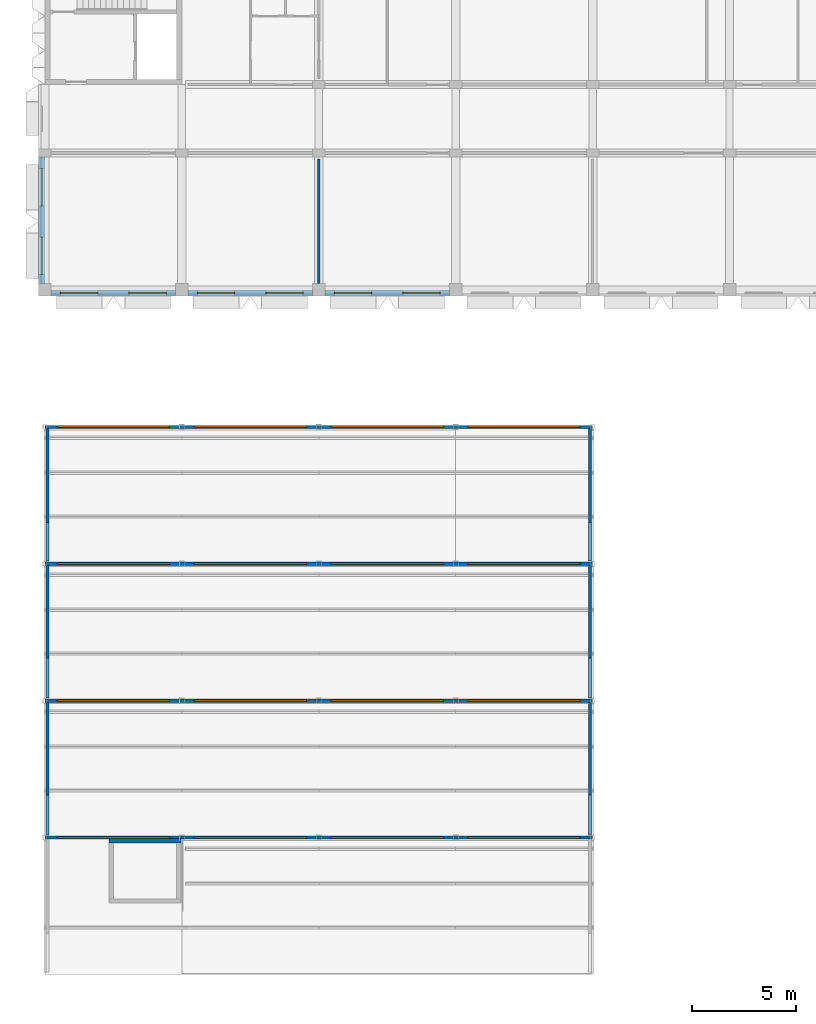
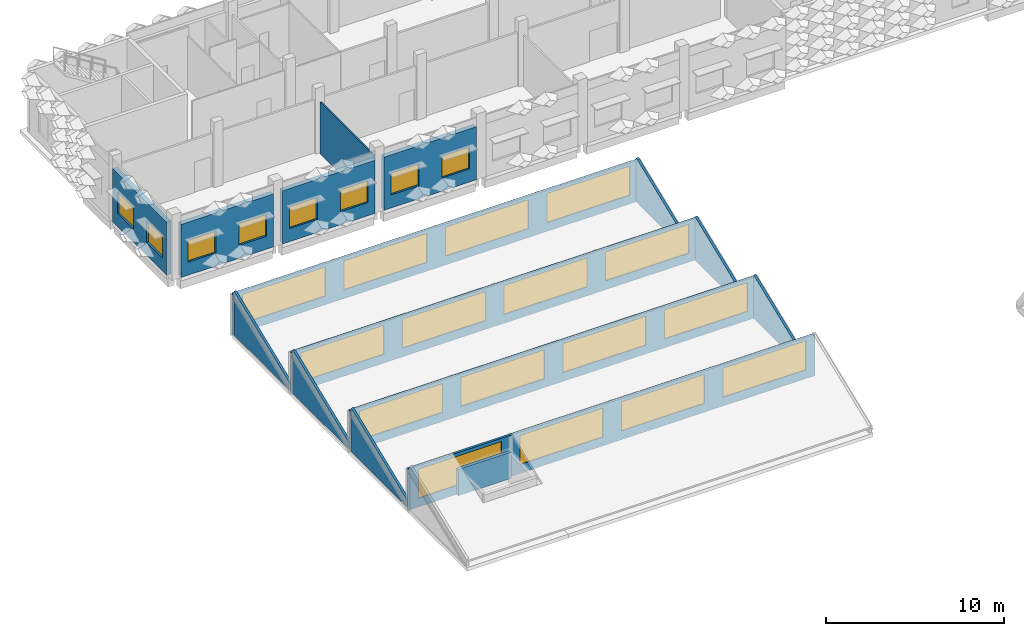
# One storey, part 56 of 109: 24 windows, 16 walls, 24 openings.
"""IFC4 building model written with IfcOpenShell, lengths in metres."""

from ifc_helpers import new_model, si_unit, direction, frame, frame_2d, origin, place, context, subcontext, project, spatial, polyline, rectangle, outline, extrude, material, layer, layer_set, type_object, element, fill, save


model = new_model("IFC4")

# Units and contexts
model_context = context("Model", 3, precision=1e-05, world=origin(), true_north=direction((0.0, 1.0)))
body_context = subcontext(model_context, "Body", "Model", "MODEL_VIEW")
ifc_project = project(units=[si_unit("LENGTHUNIT", "METRE"), si_unit("AREAUNIT", "SQUARE_METRE"), si_unit("VOLUMEUNIT", "CUBIC_METRE"), si_unit("PLANEANGLEUNIT", "RADIAN"), si_unit("MASSUNIT", "GRAM", prefix="KILO")], contexts=[model_context])

# Site, building, storey
site_placement = place(None, origin())
site = spatial("IfcSite", under=ifc_project, at=site_placement, CompositionType="ELEMENT")
building_placement = place(site_placement, origin())
building = spatial("IfcBuilding", under=site, at=building_placement, Name="Lantern Court Research Institute", CompositionType="ELEMENT")
storey_placement = place(building_placement, frame((0.0, 0.0, 14.39990234375)))
storey = spatial("IfcBuildingStorey", under=building, at=storey_placement, Name="L03", CompositionType="ELEMENT", Elevation=14.39990234375)

# Wall, openings, windows
ifc_material_1 = material(Name="Reinforced masonry, concrete block C20/25", Category="masonry")
ifc_layer_1 = layer(ifc_material_1, 0.14990234375)
ifc_layer_set_1 = layer_set([ifc_layer_1], Name="Reinforced masonry, concrete block C20/25")
wall_type_1 = type_object("IfcWallType", Name="Clerestory upstand wall 150", PredefinedType="SOLIDWALL", material=ifc_layer_set_1)
wall_1_placement = place(storey_placement, frame((0.0, 56.10009765625, 0.0), z_axis=(0.0, 0.0, 1.0), x_axis=(1.0, 0.0, 0.0)))
wall_1 = element("IfcWall", 1, at=wall_1_placement, inside=storey, type_object=wall_type_1, Name="Clerestory upstand wall", PredefinedType="SOLIDWALL", context=body_context, shape_type="SweptSolid", body=[
    extrude(rectangle(XDim=26.39990234375, YDim=0.14990234375, at=frame_2d((13.199951171875, 0.0))), origin(), (0.0, 0.0, 1.0), 2.830810546875),
])
opening_1_placement = place(wall_1_placement, frame((0.60009765625, 0.0, 0.60009765625)))
opening_1 = element("IfcOpeningElement", 2, at=opening_1_placement, cuts=wall_1, Name="Opening WS", PredefinedType="OPENING", context=body_context, shape_type="SweptSolid", body=[
    extrude(rectangle(XDim=5.39990234375, YDim=2.0, at=frame_2d((2.699951171875, 1.0))), frame((0.0, 0.0849609375, 0.0), z_axis=(0.0, -1.0, 0.0), x_axis=(1.0, 0.0, 0.0)), (0.0, 0.0, 1.0), 0.169921875),
])
opening_2_placement = place(wall_1_placement, frame((7.199951171875, 0.0, 0.60009765625)))
opening_2 = element("IfcOpeningElement", 3, at=opening_2_placement, cuts=wall_1, Name="Opening WS", PredefinedType="OPENING", context=body_context, shape_type="SweptSolid", body=[
    extrude(rectangle(XDim=5.39990234375, YDim=2.0, at=frame_2d((2.699951171875, 1.0))), frame((0.0, 0.0849609375, 0.0), z_axis=(0.0, -1.0, 0.0), x_axis=(1.0, 0.0, 0.0)), (0.0, 0.0, 1.0), 0.169921875),
])
opening_3_placement = place(wall_1_placement, frame((13.800048828125, 0.0, 0.60009765625)))
opening_3 = element("IfcOpeningElement", 4, at=opening_3_placement, cuts=wall_1, Name="Opening WS", PredefinedType="OPENING", context=body_context, shape_type="SweptSolid", body=[
    extrude(rectangle(XDim=5.39990234375, YDim=2.0, at=frame_2d((2.699951171875, 1.0))), frame((0.0, 0.0849609375, 0.0), z_axis=(0.0, -1.0, 0.0), x_axis=(1.0, 0.0, 0.0)), (0.0, 0.0, 1.0), 0.169921875),
])
opening_4_placement = place(wall_1_placement, frame((20.39990234375, 0.0, 0.60009765625)))
opening_4 = element("IfcOpeningElement", 5, at=opening_4_placement, cuts=wall_1, Name="Opening WS", PredefinedType="OPENING", context=body_context, shape_type="SweptSolid", body=[
    extrude(rectangle(XDim=5.39990234375, YDim=2.0, at=frame_2d((2.699951171875, 1.0))), frame((0.0, 0.0849609375, 0.0), z_axis=(0.0, -1.0, 0.0), x_axis=(1.0, 0.0, 0.0)), (0.0, 0.0, 1.0), 0.169921875),
])
ifc_material_2 = material(Name="Laminated low-emissivity glass", Category="glass")
window_type_1 = type_object("IfcWindowType", Name="Clerestory window 5400 x 2000 fixed glazing", PartitioningType="SINGLE_PANEL", PredefinedType="WINDOW", material=ifc_material_2)
window_1_placement = place(opening_1_placement, origin())
window_1 = element("IfcWindow", 6, at=window_1_placement, inside=storey, type_object=window_type_1, Name="Clerestory window", OverallHeight=2.0, OverallWidth=5.39990234375, PartitioningType="SINGLE_PANEL", PredefinedType="WINDOW", context=body_context, shape_type="SweptSolid", body=[
    extrude(rectangle(XDim=5.39990234375, YDim=2.0, at=frame_2d((2.699951171875, 1.0))), frame((0.0, 0.030029296875, 0.0), z_axis=(0.0, -1.0, 0.0), x_axis=(1.0, 0.0, 0.0)), (0.0, 0.0, 1.0), 0.06005859375),
])
fill(opening_1, window_1)
window_2_placement = place(opening_2_placement, origin())
window_2 = element("IfcWindow", 7, at=window_2_placement, inside=storey, type_object=window_type_1, Name="Clerestory window", OverallHeight=2.0, OverallWidth=5.39990234375, PartitioningType="SINGLE_PANEL", PredefinedType="WINDOW", context=body_context, shape_type="SweptSolid", body=[
    extrude(rectangle(XDim=5.39990234375, YDim=2.0, at=frame_2d((2.699951171875, 1.0))), frame((0.0, 0.030029296875, 0.0), z_axis=(0.0, -1.0, 0.0), x_axis=(1.0, 0.0, 0.0)), (0.0, 0.0, 1.0), 0.06005859375),
])
fill(opening_2, window_2)
window_3_placement = place(opening_3_placement, origin())
window_3 = element("IfcWindow", 8, at=window_3_placement, inside=storey, type_object=window_type_1, Name="Clerestory window", OverallHeight=2.0, OverallWidth=5.39990234375, PartitioningType="SINGLE_PANEL", PredefinedType="WINDOW", context=body_context, shape_type="SweptSolid", body=[
    extrude(rectangle(XDim=5.39990234375, YDim=2.0, at=frame_2d((2.699951171875, 1.0))), frame((0.0, 0.030029296875, 0.0), z_axis=(0.0, -1.0, 0.0), x_axis=(1.0, 0.0, 0.0)), (0.0, 0.0, 1.0), 0.06005859375),
])
fill(opening_3, window_3)
window_4_placement = place(opening_4_placement, origin())
window_4 = element("IfcWindow", 9, at=window_4_placement, inside=storey, type_object=window_type_1, Name="Clerestory window", OverallHeight=2.0, OverallWidth=5.39990234375, PartitioningType="SINGLE_PANEL", PredefinedType="WINDOW", context=body_context, shape_type="SweptSolid", body=[
    extrude(rectangle(XDim=5.39990234375, YDim=2.0, at=frame_2d((2.699951171875, 1.0))), frame((0.0, 0.030029296875, 0.0), z_axis=(0.0, -1.0, 0.0), x_axis=(1.0, 0.0, 0.0)), (0.0, 0.0, 1.0), 0.06005859375),
])
fill(opening_4, window_4)

wall_2_placement = place(storey_placement, frame((0.0, 62.699951171875, 0.0), z_axis=(0.0, 0.0, 1.0), x_axis=(1.0, 0.0, 0.0)))
wall_2 = element("IfcWall", 10, at=wall_2_placement, inside=storey, type_object=wall_type_1, Name="Clerestory upstand wall", PredefinedType="SOLIDWALL", context=body_context, shape_type="SweptSolid", body=[
    extrude(rectangle(XDim=26.39990234375, YDim=0.14990234375, at=frame_2d((13.199951171875, 0.0))), origin(), (0.0, 0.0, 1.0), 2.830810546875),
])
opening_5_placement = place(wall_2_placement, frame((0.60009765625, 0.0, 0.60009765625)))
opening_5 = element("IfcOpeningElement", 11, at=opening_5_placement, cuts=wall_2, Name="Opening WS", PredefinedType="OPENING", context=body_context, shape_type="SweptSolid", body=[
    extrude(rectangle(XDim=5.39990234375, YDim=2.0, at=frame_2d((2.699951171875, 1.0))), frame((0.0, 0.0849609375, 0.0), z_axis=(0.0, -1.0, 0.0), x_axis=(1.0, 0.0, 0.0)), (0.0, 0.0, 1.0), 0.169921875),
])
opening_6_placement = place(wall_2_placement, frame((7.199951171875, 0.0, 0.60009765625)))
opening_6 = element("IfcOpeningElement", 12, at=opening_6_placement, cuts=wall_2, Name="Opening WS", PredefinedType="OPENING", context=body_context, shape_type="SweptSolid", body=[
    extrude(rectangle(XDim=5.39990234375, YDim=2.0, at=frame_2d((2.699951171875, 1.0))), frame((0.0, 0.0849609375, 0.0), z_axis=(0.0, -1.0, 0.0), x_axis=(1.0, 0.0, 0.0)), (0.0, 0.0, 1.0), 0.169921875),
])
opening_7_placement = place(wall_2_placement, frame((13.800048828125, 0.0, 0.60009765625)))
opening_7 = element("IfcOpeningElement", 13, at=opening_7_placement, cuts=wall_2, Name="Opening WS", PredefinedType="OPENING", context=body_context, shape_type="SweptSolid", body=[
    extrude(rectangle(XDim=5.39990234375, YDim=2.0, at=frame_2d((2.699951171875, 1.0))), frame((0.0, 0.0849609375, 0.0), z_axis=(0.0, -1.0, 0.0), x_axis=(1.0, 0.0, 0.0)), (0.0, 0.0, 1.0), 0.169921875),
])
opening_8_placement = place(wall_2_placement, frame((20.39990234375, 0.0, 0.60009765625)))
opening_8 = element("IfcOpeningElement", 14, at=opening_8_placement, cuts=wall_2, Name="Opening WS", PredefinedType="OPENING", context=body_context, shape_type="SweptSolid", body=[
    extrude(rectangle(XDim=5.39990234375, YDim=2.0, at=frame_2d((2.699951171875, 1.0))), frame((0.0, 0.0849609375, 0.0), z_axis=(0.0, -1.0, 0.0), x_axis=(1.0, 0.0, 0.0)), (0.0, 0.0, 1.0), 0.169921875),
])
window_5_placement = place(opening_5_placement, origin())
window_5 = element("IfcWindow", 15, at=window_5_placement, inside=storey, type_object=window_type_1, Name="Clerestory window", OverallHeight=2.0, OverallWidth=5.39990234375, PartitioningType="SINGLE_PANEL", PredefinedType="WINDOW", context=body_context, shape_type="SweptSolid", body=[
    extrude(rectangle(XDim=5.39990234375, YDim=2.0, at=frame_2d((2.699951171875, 1.0))), frame((0.0, 0.030029296875, 0.0), z_axis=(0.0, -1.0, 0.0), x_axis=(1.0, 0.0, 0.0)), (0.0, 0.0, 1.0), 0.06005859375),
])
fill(opening_5, window_5)
window_6_placement = place(opening_6_placement, origin())
window_6 = element("IfcWindow", 16, at=window_6_placement, inside=storey, type_object=window_type_1, Name="Clerestory window", OverallHeight=2.0, OverallWidth=5.39990234375, PartitioningType="SINGLE_PANEL", PredefinedType="WINDOW", context=body_context, shape_type="SweptSolid", body=[
    extrude(rectangle(XDim=5.39990234375, YDim=2.0, at=frame_2d((2.699951171875, 1.0))), frame((0.0, 0.030029296875, 0.0), z_axis=(0.0, -1.0, 0.0), x_axis=(1.0, 0.0, 0.0)), (0.0, 0.0, 1.0), 0.06005859375),
])
fill(opening_6, window_6)
window_7_placement = place(opening_7_placement, origin())
window_7 = element("IfcWindow", 17, at=window_7_placement, inside=storey, type_object=window_type_1, Name="Clerestory window", OverallHeight=2.0, OverallWidth=5.39990234375, PartitioningType="SINGLE_PANEL", PredefinedType="WINDOW", context=body_context, shape_type="SweptSolid", body=[
    extrude(rectangle(XDim=5.39990234375, YDim=2.0, at=frame_2d((2.699951171875, 1.0))), frame((0.0, 0.030029296875, 0.0), z_axis=(0.0, -1.0, 0.0), x_axis=(1.0, 0.0, 0.0)), (0.0, 0.0, 1.0), 0.06005859375),
])
fill(opening_7, window_7)
window_8_placement = place(opening_8_placement, origin())
window_8 = element("IfcWindow", 18, at=window_8_placement, inside=storey, type_object=window_type_1, Name="Clerestory window", OverallHeight=2.0, OverallWidth=5.39990234375, PartitioningType="SINGLE_PANEL", PredefinedType="WINDOW", context=body_context, shape_type="SweptSolid", body=[
    extrude(rectangle(XDim=5.39990234375, YDim=2.0, at=frame_2d((2.699951171875, 1.0))), frame((0.0, 0.030029296875, 0.0), z_axis=(0.0, -1.0, 0.0), x_axis=(1.0, 0.0, 0.0)), (0.0, 0.0, 1.0), 0.06005859375),
])
fill(opening_8, window_8)

# Walls
for number, where, z_axis, x_axis, name in (
    (19, (0.1298828125, 56.22509765625, 0.0), (0.0, 0.0, 1.0), (0.0, 1.0, 0.0), "Sawtooth end wall"),
    (20, (26.27001953125, 56.22509765625, 0.0), (0.0, 0.0, 1.0), (0.0, 1.0, 0.0), "Sawtooth end wall"),
):
    element("IfcWall", number, at=place(storey_placement, frame(where, z_axis=z_axis, x_axis=x_axis)), inside=storey, type_object=wall_type_1, Name=name, PredefinedType="SOLIDWALL", context=body_context, shape_type="SweptSolid", body=[
        extrude(outline(polyline([(0.0, 0.0), (6.39990234375, 0.0), (6.39990234375, 2.992431640625), (0.0, 0.432373046875), (0.0, 0.0)])), frame((0.0, 0.074951171875, 0.0), z_axis=(0.0, -1.0, 0.0), x_axis=(1.0, 0.0, 0.0)), (0.0, 0.0, 1.0), 0.14990234375),
    ])

# Wall, openings, windows
wall_3_placement = place(storey_placement, frame((0.0, 69.300048828125, 0.0), z_axis=(0.0, 0.0, 1.0), x_axis=(1.0, 0.0, 0.0)))
wall_3 = element("IfcWall", 21, at=wall_3_placement, inside=storey, type_object=wall_type_1, Name="Clerestory upstand wall", PredefinedType="SOLIDWALL", context=body_context, shape_type="SweptSolid", body=[
    extrude(rectangle(XDim=26.39990234375, YDim=0.14990234375, at=frame_2d((13.199951171875, 0.0))), origin(), (0.0, 0.0, 1.0), 2.830810546875),
])
opening_9_placement = place(wall_3_placement, frame((0.60009765625, 0.0, 0.60009765625)))
opening_9 = element("IfcOpeningElement", 22, at=opening_9_placement, cuts=wall_3, Name="Opening WS", PredefinedType="OPENING", context=body_context, shape_type="SweptSolid", body=[
    extrude(rectangle(XDim=5.39990234375, YDim=2.0, at=frame_2d((2.699951171875, 1.0))), frame((0.0, 0.0849609375, 0.0), z_axis=(0.0, -1.0, 0.0), x_axis=(1.0, 0.0, 0.0)), (0.0, 0.0, 1.0), 0.169921875),
])
opening_10_placement = place(wall_3_placement, frame((7.199951171875, 0.0, 0.60009765625)))
opening_10 = element("IfcOpeningElement", 23, at=opening_10_placement, cuts=wall_3, Name="Opening WS", PredefinedType="OPENING", context=body_context, shape_type="SweptSolid", body=[
    extrude(rectangle(XDim=5.39990234375, YDim=2.0, at=frame_2d((2.699951171875, 1.0))), frame((0.0, 0.0849609375, 0.0), z_axis=(0.0, -1.0, 0.0), x_axis=(1.0, 0.0, 0.0)), (0.0, 0.0, 1.0), 0.169921875),
])
opening_11_placement = place(wall_3_placement, frame((13.800048828125, 0.0, 0.60009765625)))
opening_11 = element("IfcOpeningElement", 24, at=opening_11_placement, cuts=wall_3, Name="Opening WS", PredefinedType="OPENING", context=body_context, shape_type="SweptSolid", body=[
    extrude(rectangle(XDim=5.39990234375, YDim=2.0, at=frame_2d((2.699951171875, 1.0))), frame((0.0, 0.0849609375, 0.0), z_axis=(0.0, -1.0, 0.0), x_axis=(1.0, 0.0, 0.0)), (0.0, 0.0, 1.0), 0.169921875),
])
opening_12_placement = place(wall_3_placement, frame((20.39990234375, 0.0, 0.60009765625)))
opening_12 = element("IfcOpeningElement", 25, at=opening_12_placement, cuts=wall_3, Name="Opening WS", PredefinedType="OPENING", context=body_context, shape_type="SweptSolid", body=[
    extrude(rectangle(XDim=5.39990234375, YDim=2.0, at=frame_2d((2.699951171875, 1.0))), frame((0.0, 0.0849609375, 0.0), z_axis=(0.0, -1.0, 0.0), x_axis=(1.0, 0.0, 0.0)), (0.0, 0.0, 1.0), 0.169921875),
])
window_9_placement = place(opening_9_placement, origin())
window_9 = element("IfcWindow", 26, at=window_9_placement, inside=storey, type_object=window_type_1, Name="Clerestory window", OverallHeight=2.0, OverallWidth=5.39990234375, PartitioningType="SINGLE_PANEL", PredefinedType="WINDOW", context=body_context, shape_type="SweptSolid", body=[
    extrude(rectangle(XDim=5.39990234375, YDim=2.0, at=frame_2d((2.699951171875, 1.0))), frame((0.0, 0.030029296875, 0.0), z_axis=(0.0, -1.0, 0.0), x_axis=(1.0, 0.0, 0.0)), (0.0, 0.0, 1.0), 0.06005859375),
])
fill(opening_9, window_9)
window_10_placement = place(opening_10_placement, origin())
window_10 = element("IfcWindow", 27, at=window_10_placement, inside=storey, type_object=window_type_1, Name="Clerestory window", OverallHeight=2.0, OverallWidth=5.39990234375, PartitioningType="SINGLE_PANEL", PredefinedType="WINDOW", context=body_context, shape_type="SweptSolid", body=[
    extrude(rectangle(XDim=5.39990234375, YDim=2.0, at=frame_2d((2.699951171875, 1.0))), frame((0.0, 0.030029296875, 0.0), z_axis=(0.0, -1.0, 0.0), x_axis=(1.0, 0.0, 0.0)), (0.0, 0.0, 1.0), 0.06005859375),
])
fill(opening_10, window_10)
window_11_placement = place(opening_11_placement, origin())
window_11 = element("IfcWindow", 28, at=window_11_placement, inside=storey, type_object=window_type_1, Name="Clerestory window", OverallHeight=2.0, OverallWidth=5.39990234375, PartitioningType="SINGLE_PANEL", PredefinedType="WINDOW", context=body_context, shape_type="SweptSolid", body=[
    extrude(rectangle(XDim=5.39990234375, YDim=2.0, at=frame_2d((2.699951171875, 1.0))), frame((0.0, 0.030029296875, 0.0), z_axis=(0.0, -1.0, 0.0), x_axis=(1.0, 0.0, 0.0)), (0.0, 0.0, 1.0), 0.06005859375),
])
fill(opening_11, window_11)
window_12_placement = place(opening_12_placement, origin())
window_12 = element("IfcWindow", 29, at=window_12_placement, inside=storey, type_object=window_type_1, Name="Clerestory window", OverallHeight=2.0, OverallWidth=5.39990234375, PartitioningType="SINGLE_PANEL", PredefinedType="WINDOW", context=body_context, shape_type="SweptSolid", body=[
    extrude(rectangle(XDim=5.39990234375, YDim=2.0, at=frame_2d((2.699951171875, 1.0))), frame((0.0, 0.030029296875, 0.0), z_axis=(0.0, -1.0, 0.0), x_axis=(1.0, 0.0, 0.0)), (0.0, 0.0, 1.0), 0.06005859375),
])
fill(opening_12, window_12)

# Walls
for number, where, z_axis, x_axis, name in (
    (30, (0.1298828125, 62.824951171875, 0.0), (0.0, 0.0, 1.0), (0.0, 1.0, 0.0), "Sawtooth end wall"),
    (31, (26.27001953125, 62.824951171875, 0.0), (0.0, 0.0, 1.0), (0.0, 1.0, 0.0), "Sawtooth end wall"),
):
    element("IfcWall", number, at=place(storey_placement, frame(where, z_axis=z_axis, x_axis=x_axis)), inside=storey, type_object=wall_type_1, Name=name, PredefinedType="SOLIDWALL", context=body_context, shape_type="SweptSolid", body=[
        extrude(outline(polyline([(0.0, 0.0), (6.400146484375, 0.0), (6.39990234375, 2.992431640625), (0.0, 0.432373046875), (0.0, 0.0)])), frame((0.0, 0.074951171875, 0.0), z_axis=(0.0, -1.0, 0.0), x_axis=(1.0, 0.0, 0.0)), (0.0, 0.0, 1.0), 0.14990234375),
    ])

# Wall, openings, windows
wall_4_placement = place(storey_placement, frame((0.0, 75.89990234375, 0.0), z_axis=(0.0, 0.0, 1.0), x_axis=(1.0, 0.0, 0.0)))
wall_4 = element("IfcWall", 32, at=wall_4_placement, inside=storey, type_object=wall_type_1, Name="Clerestory upstand wall", PredefinedType="SOLIDWALL", context=body_context, shape_type="SweptSolid", body=[
    extrude(rectangle(XDim=26.39990234375, YDim=0.14990234375, at=frame_2d((13.199951171875, 0.0))), origin(), (0.0, 0.0, 1.0), 2.830810546875),
])
opening_13_placement = place(wall_4_placement, frame((0.60009765625, 0.0, 0.60009765625)))
opening_13 = element("IfcOpeningElement", 33, at=opening_13_placement, cuts=wall_4, Name="Opening WS", PredefinedType="OPENING", context=body_context, shape_type="SweptSolid", body=[
    extrude(rectangle(XDim=5.39990234375, YDim=2.0, at=frame_2d((2.699951171875, 1.0))), frame((0.0, 0.0849609375, 0.0), z_axis=(0.0, -1.0, 0.0), x_axis=(1.0, 0.0, 0.0)), (0.0, 0.0, 1.0), 0.169921875),
])
opening_14_placement = place(wall_4_placement, frame((7.199951171875, 0.0, 0.60009765625)))
opening_14 = element("IfcOpeningElement", 34, at=opening_14_placement, cuts=wall_4, Name="Opening WS", PredefinedType="OPENING", context=body_context, shape_type="SweptSolid", body=[
    extrude(rectangle(XDim=5.39990234375, YDim=2.0, at=frame_2d((2.699951171875, 1.0))), frame((0.0, 0.0849609375, 0.0), z_axis=(0.0, -1.0, 0.0), x_axis=(1.0, 0.0, 0.0)), (0.0, 0.0, 1.0), 0.169921875),
])
opening_15_placement = place(wall_4_placement, frame((13.800048828125, 0.0, 0.60009765625)))
opening_15 = element("IfcOpeningElement", 35, at=opening_15_placement, cuts=wall_4, Name="Opening WS", PredefinedType="OPENING", context=body_context, shape_type="SweptSolid", body=[
    extrude(rectangle(XDim=5.39990234375, YDim=2.0, at=frame_2d((2.699951171875, 1.0))), frame((0.0, 0.0849609375, 0.0), z_axis=(0.0, -1.0, 0.0), x_axis=(1.0, 0.0, 0.0)), (0.0, 0.0, 1.0), 0.169921875),
])
opening_16_placement = place(wall_4_placement, frame((20.39990234375, 0.0, 0.60009765625)))
opening_16 = element("IfcOpeningElement", 36, at=opening_16_placement, cuts=wall_4, Name="Opening WS", PredefinedType="OPENING", context=body_context, shape_type="SweptSolid", body=[
    extrude(rectangle(XDim=5.39990234375, YDim=2.0, at=frame_2d((2.699951171875, 1.0))), frame((0.0, 0.0849609375, 0.0), z_axis=(0.0, -1.0, 0.0), x_axis=(1.0, 0.0, 0.0)), (0.0, 0.0, 1.0), 0.169921875),
])
window_13_placement = place(opening_13_placement, origin())
window_13 = element("IfcWindow", 37, at=window_13_placement, inside=storey, type_object=window_type_1, Name="Clerestory window", OverallHeight=2.0, OverallWidth=5.39990234375, PartitioningType="SINGLE_PANEL", PredefinedType="WINDOW", context=body_context, shape_type="SweptSolid", body=[
    extrude(rectangle(XDim=5.39990234375, YDim=2.0, at=frame_2d((2.699951171875, 1.0))), frame((0.0, 0.030029296875, 0.0), z_axis=(0.0, -1.0, 0.0), x_axis=(1.0, 0.0, 0.0)), (0.0, 0.0, 1.0), 0.06005859375),
])
fill(opening_13, window_13)
window_14_placement = place(opening_14_placement, origin())
window_14 = element("IfcWindow", 38, at=window_14_placement, inside=storey, type_object=window_type_1, Name="Clerestory window", OverallHeight=2.0, OverallWidth=5.39990234375, PartitioningType="SINGLE_PANEL", PredefinedType="WINDOW", context=body_context, shape_type="SweptSolid", body=[
    extrude(rectangle(XDim=5.39990234375, YDim=2.0, at=frame_2d((2.699951171875, 1.0))), frame((0.0, 0.030029296875, 0.0), z_axis=(0.0, -1.0, 0.0), x_axis=(1.0, 0.0, 0.0)), (0.0, 0.0, 1.0), 0.06005859375),
])
fill(opening_14, window_14)
window_15_placement = place(opening_15_placement, origin())
window_15 = element("IfcWindow", 39, at=window_15_placement, inside=storey, type_object=window_type_1, Name="Clerestory window", OverallHeight=2.0, OverallWidth=5.39990234375, PartitioningType="SINGLE_PANEL", PredefinedType="WINDOW", context=body_context, shape_type="SweptSolid", body=[
    extrude(rectangle(XDim=5.39990234375, YDim=2.0, at=frame_2d((2.699951171875, 1.0))), frame((0.0, 0.030029296875, 0.0), z_axis=(0.0, -1.0, 0.0), x_axis=(1.0, 0.0, 0.0)), (0.0, 0.0, 1.0), 0.06005859375),
])
fill(opening_15, window_15)
window_16_placement = place(opening_16_placement, origin())
window_16 = element("IfcWindow", 40, at=window_16_placement, inside=storey, type_object=window_type_1, Name="Clerestory window", OverallHeight=2.0, OverallWidth=5.39990234375, PartitioningType="SINGLE_PANEL", PredefinedType="WINDOW", context=body_context, shape_type="SweptSolid", body=[
    extrude(rectangle(XDim=5.39990234375, YDim=2.0, at=frame_2d((2.699951171875, 1.0))), frame((0.0, 0.030029296875, 0.0), z_axis=(0.0, -1.0, 0.0), x_axis=(1.0, 0.0, 0.0)), (0.0, 0.0, 1.0), 0.06005859375),
])
fill(opening_16, window_16)

# Walls
for number, where, z_axis, x_axis, name in (
    (41, (0.1298828125, 69.425048828125, 0.0), (0.0, 0.0, 1.0), (0.0, 1.0, 0.0), "Sawtooth end wall"),
    (42, (26.27001953125, 69.425048828125, 0.0), (0.0, 0.0, 1.0), (0.0, 1.0, 0.0), "Sawtooth end wall"),
):
    element("IfcWall", number, at=place(storey_placement, frame(where, z_axis=z_axis, x_axis=x_axis)), inside=storey, type_object=wall_type_1, Name=name, PredefinedType="SOLIDWALL", context=body_context, shape_type="SweptSolid", body=[
        extrude(outline(polyline([(0.0, 0.0), (6.39990234375, 0.0), (6.39990234375, 3.019287109375), (0.0, 0.459228515625), (0.0, 0.0)])), frame((0.0, 0.074951171875, 0.0), z_axis=(0.0, -1.0, 0.0), x_axis=(1.0, 0.0, 0.0)), (0.0, 0.0, 1.0), 0.14990234375),
    ])

# Wall, openings, windows
ifc_material_3 = material(Name="Concrete C30/37", Category="concrete")
ifc_layer_2 = layer(ifc_material_3, 0.300048828125)
ifc_layer_set_2 = layer_set([ifc_layer_2], Name="Concrete C30/37")
wall_type_2 = type_object("IfcWallType", Name="Insulated concrete infill wall 300", PredefinedType="STANDARD", material=ifc_layer_set_2)
wall_5_placement = place(storey_placement, frame((6.300048828125, 82.35009765625, 0.0), z_axis=(0.0, 0.0, 1.0), x_axis=(-1.0, 0.0, 0.0)))
wall_5 = element("IfcWall", 43, at=wall_5_placement, inside=storey, type_object=wall_type_2, Name="Exterior wall EW191", PredefinedType="STANDARD", context=body_context, shape_type="SweptSolid", body=[
    extrude(rectangle(XDim=6.0, YDim=0.300048828125, at=frame_2d((3.0, 0.0))), origin(), (0.0, 0.0, 1.0), 3.650146484375),
])
opening_17_placement = place(wall_5_placement, frame((3.75, 0.0, 0.89990234375)))
opening_17 = element("IfcOpeningElement", 44, at=opening_17_placement, cuts=wall_5, Name="Opening W14", PredefinedType="OPENING", context=body_context, shape_type="SweptSolid", body=[
    extrude(rectangle(XDim=1.800048828125, YDim=1.5, at=frame_2d((0.89990234375, 0.75))), frame((0.0, 0.159912109375, 0.0), z_axis=(0.0, -1.0, 0.0), x_axis=(1.0, 0.0, 0.0)), (0.0, 0.0, 1.0), 0.320068359375),
])
opening_18_placement = place(wall_5_placement, frame((0.449951171875, 0.0, 0.89990234375)))
opening_18 = element("IfcOpeningElement", 45, at=opening_18_placement, cuts=wall_5, Name="Opening W14", PredefinedType="OPENING", context=body_context, shape_type="SweptSolid", body=[
    extrude(rectangle(XDim=1.800048828125, YDim=1.5, at=frame_2d((0.89990234375, 0.75))), frame((0.0, 0.159912109375, 0.0), z_axis=(0.0, -1.0, 0.0), x_axis=(1.0, 0.0, 0.0)), (0.0, 0.0, 1.0), 0.320068359375),
])
ifc_material_4 = material(Name="Aluminium frame with laminated low-emissivity glazing", Category="aluminium")
window_type_2 = type_object("IfcWindowType", Name="Office window 1800 x 1500", PartitioningType="SINGLE_PANEL", PredefinedType="WINDOW", material=ifc_material_4)
window_17_placement = place(opening_17_placement, origin())
window_17 = element("IfcWindow", 46, at=window_17_placement, inside=storey, type_object=window_type_2, Name="Window W14 V6S L03", OverallHeight=1.5, OverallWidth=1.800048828125, PartitioningType="SINGLE_PANEL", PredefinedType="WINDOW", context=body_context, shape_type="SweptSolid", body=[
    extrude(rectangle(XDim=1.800048828125, YDim=1.5, at=frame_2d((0.89990234375, 0.75))), frame((0.0, 0.030029296875, 0.0), z_axis=(0.0, -1.0, 0.0), x_axis=(1.0, 0.0, 0.0)), (0.0, 0.0, 1.0), 0.06005859375),
])
fill(opening_17, window_17)
window_18_placement = place(opening_18_placement, origin())
window_18 = element("IfcWindow", 47, at=window_18_placement, inside=storey, type_object=window_type_2, Name="Window W14 V6S L03", OverallHeight=1.5, OverallWidth=1.800048828125, PartitioningType="SINGLE_PANEL", PredefinedType="WINDOW", context=body_context, shape_type="SweptSolid", body=[
    extrude(rectangle(XDim=1.800048828125, YDim=1.5, at=frame_2d((0.89990234375, 0.75))), frame((0.0, 0.030029296875, 0.0), z_axis=(0.0, -1.0, 0.0), x_axis=(1.0, 0.0, 0.0)), (0.0, 0.0, 1.0), 0.06005859375),
])
fill(opening_18, window_18)

wall_6_placement = place(storey_placement, frame((12.89990234375, 82.35009765625, 0.0), z_axis=(0.0, 0.0, 1.0), x_axis=(-1.0, 0.0, 0.0)))
wall_6 = element("IfcWall", 48, at=wall_6_placement, inside=storey, type_object=wall_type_2, Name="Exterior wall EW192", PredefinedType="STANDARD", context=body_context, shape_type="SweptSolid", body=[
    extrude(rectangle(XDim=6.0, YDim=0.300048828125, at=frame_2d((3.0, 0.0))), origin(), (0.0, 0.0, 1.0), 3.650146484375),
])
opening_19_placement = place(wall_6_placement, frame((3.75, 0.0, 0.89990234375)))
opening_19 = element("IfcOpeningElement", 49, at=opening_19_placement, cuts=wall_6, Name="Opening W14", PredefinedType="OPENING", context=body_context, shape_type="SweptSolid", body=[
    extrude(rectangle(XDim=1.800048828125, YDim=1.5, at=frame_2d((0.89990234375, 0.75))), frame((0.0, 0.159912109375, 0.0), z_axis=(0.0, -1.0, 0.0), x_axis=(1.0, 0.0, 0.0)), (0.0, 0.0, 1.0), 0.320068359375),
])
opening_20_placement = place(wall_6_placement, frame((0.449951171875, 0.0, 0.89990234375)))
opening_20 = element("IfcOpeningElement", 50, at=opening_20_placement, cuts=wall_6, Name="Opening W14", PredefinedType="OPENING", context=body_context, shape_type="SweptSolid", body=[
    extrude(rectangle(XDim=1.800048828125, YDim=1.5, at=frame_2d((0.89990234375, 0.75))), frame((0.0, 0.159912109375, 0.0), z_axis=(0.0, -1.0, 0.0), x_axis=(1.0, 0.0, 0.0)), (0.0, 0.0, 1.0), 0.320068359375),
])
window_19_placement = place(opening_19_placement, origin())
window_19 = element("IfcWindow", 51, at=window_19_placement, inside=storey, type_object=window_type_2, Name="Window W14 V6S L03", OverallHeight=1.5, OverallWidth=1.800048828125, PartitioningType="SINGLE_PANEL", PredefinedType="WINDOW", context=body_context, shape_type="SweptSolid", body=[
    extrude(rectangle(XDim=1.800048828125, YDim=1.5, at=frame_2d((0.89990234375, 0.75))), frame((0.0, 0.030029296875, 0.0), z_axis=(0.0, -1.0, 0.0), x_axis=(1.0, 0.0, 0.0)), (0.0, 0.0, 1.0), 0.06005859375),
])
fill(opening_19, window_19)
window_20_placement = place(opening_20_placement, origin())
window_20 = element("IfcWindow", 52, at=window_20_placement, inside=storey, type_object=window_type_2, Name="Window W14 V6S L03", OverallHeight=1.5, OverallWidth=1.800048828125, PartitioningType="SINGLE_PANEL", PredefinedType="WINDOW", context=body_context, shape_type="SweptSolid", body=[
    extrude(rectangle(XDim=1.800048828125, YDim=1.5, at=frame_2d((0.89990234375, 0.75))), frame((0.0, 0.030029296875, 0.0), z_axis=(0.0, -1.0, 0.0), x_axis=(1.0, 0.0, 0.0)), (0.0, 0.0, 1.0), 0.06005859375),
])
fill(opening_20, window_20)

wall_7_placement = place(storey_placement, frame((19.5, 82.35009765625, 0.0), z_axis=(0.0, 0.0, 1.0), x_axis=(-1.0, 0.0, 0.0)))
wall_7 = element("IfcWall", 53, at=wall_7_placement, inside=storey, type_object=wall_type_2, Name="Exterior wall EW193", PredefinedType="STANDARD", context=body_context, shape_type="SweptSolid", body=[
    extrude(rectangle(XDim=6.0, YDim=0.300048828125, at=frame_2d((3.0, 0.0))), origin(), (0.0, 0.0, 1.0), 3.650146484375),
])
opening_21_placement = place(wall_7_placement, frame((3.75, 0.0, 0.89990234375)))
opening_21 = element("IfcOpeningElement", 54, at=opening_21_placement, cuts=wall_7, Name="Opening W14", PredefinedType="OPENING", context=body_context, shape_type="SweptSolid", body=[
    extrude(rectangle(XDim=1.800048828125, YDim=1.5, at=frame_2d((0.89990234375, 0.75))), frame((0.0, 0.159912109375, 0.0), z_axis=(0.0, -1.0, 0.0), x_axis=(1.0, 0.0, 0.0)), (0.0, 0.0, 1.0), 0.320068359375),
])
opening_22_placement = place(wall_7_placement, frame((0.449951171875, 0.0, 0.89990234375)))
opening_22 = element("IfcOpeningElement", 55, at=opening_22_placement, cuts=wall_7, Name="Opening W14", PredefinedType="OPENING", context=body_context, shape_type="SweptSolid", body=[
    extrude(rectangle(XDim=1.800048828125, YDim=1.5, at=frame_2d((0.89990234375, 0.75))), frame((0.0, 0.159912109375, 0.0), z_axis=(0.0, -1.0, 0.0), x_axis=(1.0, 0.0, 0.0)), (0.0, 0.0, 1.0), 0.320068359375),
])
window_21_placement = place(opening_21_placement, origin())
window_21 = element("IfcWindow", 56, at=window_21_placement, inside=storey, type_object=window_type_2, Name="Window W14 V6S L03", OverallHeight=1.5, OverallWidth=1.800048828125, PartitioningType="SINGLE_PANEL", PredefinedType="WINDOW", context=body_context, shape_type="SweptSolid", body=[
    extrude(rectangle(XDim=1.800048828125, YDim=1.5, at=frame_2d((0.89990234375, 0.75))), frame((0.0, 0.030029296875, 0.0), z_axis=(0.0, -1.0, 0.0), x_axis=(1.0, 0.0, 0.0)), (0.0, 0.0, 1.0), 0.06005859375),
])
fill(opening_21, window_21)
window_22_placement = place(opening_22_placement, origin())
window_22 = element("IfcWindow", 57, at=window_22_placement, inside=storey, type_object=window_type_2, Name="Window W14 V6S L03", OverallHeight=1.5, OverallWidth=1.800048828125, PartitioningType="SINGLE_PANEL", PredefinedType="WINDOW", context=body_context, shape_type="SweptSolid", body=[
    extrude(rectangle(XDim=1.800048828125, YDim=1.5, at=frame_2d((0.89990234375, 0.75))), frame((0.0, 0.030029296875, 0.0), z_axis=(0.0, -1.0, 0.0), x_axis=(1.0, 0.0, 0.0)), (0.0, 0.0, 1.0), 0.06005859375),
])
fill(opening_22, window_22)

wall_8_placement = place(storey_placement, frame((-0.14990234375, 82.800048828125, 0.0), z_axis=(0.0, 0.0, 1.0), x_axis=(0.0, 1.0, 0.0)))
wall_8 = element("IfcWall", 58, at=wall_8_placement, inside=storey, type_object=wall_type_2, Name="Exterior wall EW201", PredefinedType="STANDARD", context=body_context, shape_type="SweptSolid", body=[
    extrude(rectangle(XDim=6.099853515625, YDim=0.300048828125, at=frame_2d((3.0498046875, 0.0))), origin(), (0.0, 0.0, 1.0), 3.650146484375),
])
opening_23_placement = place(wall_8_placement, frame((0.449951171875, 0.0, 0.89990234375)))
opening_23 = element("IfcOpeningElement", 59, at=opening_23_placement, cuts=wall_8, Name="Opening W14", PredefinedType="OPENING", context=body_context, shape_type="SweptSolid", body=[
    extrude(rectangle(XDim=1.800048828125, YDim=1.5, at=frame_2d((0.89990234375, 0.75))), frame((0.0, 0.159912109375, 0.0), z_axis=(0.0, -1.0, 0.0), x_axis=(1.0, 0.0, 0.0)), (0.0, 0.0, 1.0), 0.320068359375),
])
opening_24_placement = place(wall_8_placement, frame((3.75, 0.0, 0.89990234375)))
opening_24 = element("IfcOpeningElement", 60, at=opening_24_placement, cuts=wall_8, Name="Opening W14", PredefinedType="OPENING", context=body_context, shape_type="SweptSolid", body=[
    extrude(rectangle(XDim=1.800048828125, YDim=1.5, at=frame_2d((0.89990234375, 0.75))), frame((0.0, 0.159912109375, 0.0), z_axis=(0.0, -1.0, 0.0), x_axis=(1.0, 0.0, 0.0)), (0.0, 0.0, 1.0), 0.320068359375),
])
window_23_placement = place(opening_23_placement, origin())
window_23 = element("IfcWindow", 61, at=window_23_placement, inside=storey, type_object=window_type_2, Name="Window W14 V6W L03", OverallHeight=1.5, OverallWidth=1.800048828125, PartitioningType="SINGLE_PANEL", PredefinedType="WINDOW", context=body_context, shape_type="SweptSolid", body=[
    extrude(rectangle(XDim=1.800048828125, YDim=1.5, at=frame_2d((0.89990234375, 0.75))), frame((0.0, 0.030029296875, 0.0), z_axis=(0.0, -1.0, 0.0), x_axis=(1.0, 0.0, 0.0)), (0.0, 0.0, 1.0), 0.06005859375),
])
fill(opening_23, window_23)
window_24_placement = place(opening_24_placement, origin())
window_24 = element("IfcWindow", 62, at=window_24_placement, inside=storey, type_object=window_type_2, Name="Window W14 V6W L03", OverallHeight=1.5, OverallWidth=1.800048828125, PartitioningType="SINGLE_PANEL", PredefinedType="WINDOW", context=body_context, shape_type="SweptSolid", body=[
    extrude(rectangle(XDim=1.800048828125, YDim=1.5, at=frame_2d((0.89990234375, 0.75))), frame((0.0, 0.030029296875, 0.0), z_axis=(0.0, -1.0, 0.0), x_axis=(1.0, 0.0, 0.0)), (0.0, 0.0, 1.0), 0.06005859375),
])
fill(opening_24, window_24)

# Walls
ifc_material_5 = material(Name="Gypsum board on metal studs")
ifc_layer_3 = layer(ifc_material_5, 0.10009765625)
ifc_layer_set_3 = layer_set([ifc_layer_3], Name="Gypsum board on metal studs")
wall_type_3 = type_object("IfcWallType", Name="Partition 100 mm", PredefinedType="PARTITIONING", material=ifc_layer_set_3)
wall_9_placement = place(storey_placement, frame((13.199951171875, 82.800048828125, 0.0), z_axis=(0.0, 0.0, 1.0), x_axis=(0.0, 1.0, 0.0)))
element("IfcWall", 63, at=wall_9_placement, inside=storey, type_object=wall_type_3, Name="Wall V6-L03-034", PredefinedType="PARTITIONING", context=body_context, shape_type="SweptSolid", body=[
    extrude(rectangle(XDim=6.0, YDim=0.10009765625, at=frame_2d((3.0, 0.0))), origin(), (0.0, 0.0, 1.0), 3.550048828125),
])
ifc_material_6 = material(Name="Concrete C40/50", Category="concrete")
ifc_layer_4 = layer(ifc_material_6, 0.199951171875)
ifc_layer_set_4 = layer_set([ifc_layer_4], Name="Concrete C40/50")
wall_type_4 = type_object("IfcWallType", Name="RC lift overrun wall 200", PredefinedType="SHEAR", material=ifc_layer_set_4)
wall_10_placement = place(storey_placement, frame((3.10009765625, 55.949951171875, 0.0), z_axis=(0.0, 0.0, 1.0), x_axis=(1.0, 0.0, 0.0)))
element("IfcWall", 64, at=wall_10_placement, inside=storey, type_object=wall_type_4, Name="Lift overrun wall of core CC-A (north)", PredefinedType="SHEAR", context=body_context, shape_type="SweptSolid", body=[
    extrude(rectangle(XDim=3.449951171875, YDim=0.199951171875, at=frame_2d((1.72509765625, 0.0))), origin(), (0.0, 0.0, 1.0), 1.800048828125),
])

save(model, "model.ifc")
